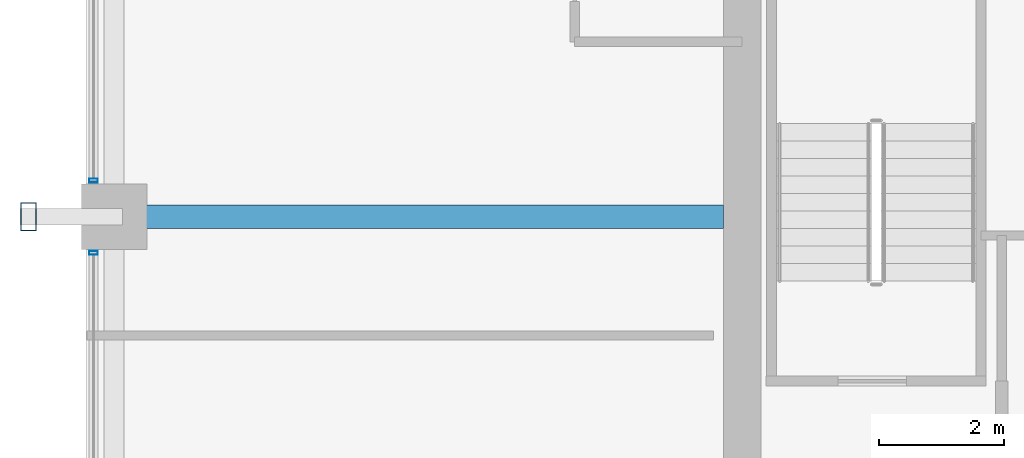
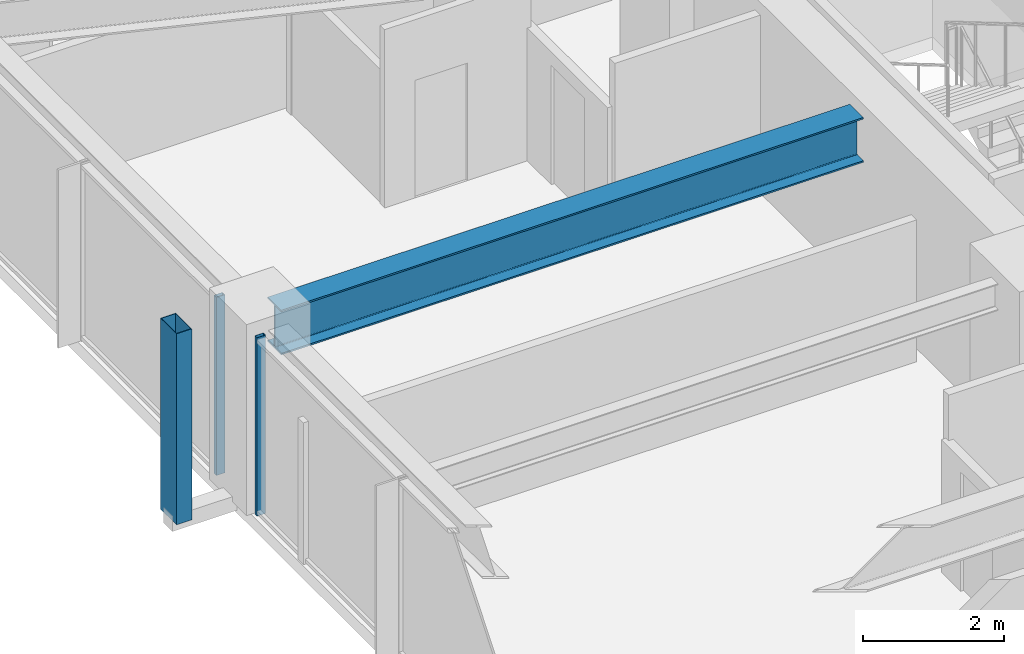
# One storey, part 11 of 38: 3 members, 1 beam, 2 elements without a shape of their own.
"""IFC4 building model written with IfcOpenShell, lengths in metres."""

import ifcopenshell
import ifcopenshell.guid

model = None  # the IFC model being written
_history = None  # IfcOwnerHistory: only IFC2X3 demands one
_inside = {}  # id of a spatial element -> (the spatial element, [elements in it])
_under = {}  # id of a project, library or spatial element -> (it, [spatial elements below it])
_declared = {}  # id of a project -> (the project, [libraries it declares])
_typed = {}  # id of a type object -> (the type object, [elements of that type])
_made_of = {}  # id of a material, layer set ... -> (it, [elements and type objects made of it])


def new_model(schema):
    """Start an empty IFC model of exactly this schema.

    Asked for "IFC4X3", IfcOpenShell would pick the latest addendum, in which some entities
    have other attributes; the version numbers below select the first issue.
    IFC2X3 requires an IfcOwnerHistory on every rooted entity: one is made here for all.
    """
    global model, _history
    if schema == "IFC4X3":
        model = ifcopenshell.file(schema_version=(4, 3, 0, 0))
    else:
        model = ifcopenshell.file(schema=schema)
    _inside.clear()
    _under.clear()
    _declared.clear()
    _typed.clear()
    _made_of.clear()
    _history = None
    if model.schema == "IFC2X3":
        org = make("IfcOrganization", Name="unknown")
        user = make(
            "IfcPersonAndOrganization",
            ThePerson=make("IfcPerson", FamilyName="unknown"),
            TheOrganization=org,
        )
        app = make(
            "IfcApplication",
            ApplicationDeveloper=org,
            Version="unknown",
            ApplicationFullName="unknown",
            ApplicationIdentifier="unknown",
        )
        _history = make(
            "IfcOwnerHistory",
            OwningUser=user,
            OwningApplication=app,
            ChangeAction="ADDED",
            CreationDate=0,
        )
    return model


def make(cls, **values):
    """One entity of the class cls with the attributes given. An attribute that is None is left unset."""
    return model.create_entity(
        cls, **{name: value for name, value in values.items() if value is not None}
    )


def rooted(cls, **values):
    """An entity with a GlobalId (a new one), such as an element, a storey or a relation."""
    return make(cls, GlobalId=ifcopenshell.guid.new(), OwnerHistory=_history, **values)


def si_unit(unit_type, name, prefix=None):
    """IfcSIUnit, for example si_unit("LENGTHUNIT", "METRE", prefix="MILLI")."""
    return make("IfcSIUnit", UnitType=unit_type, Prefix=prefix, Name=name)


def assignment(units):
    """IfcUnitAssignment: the units of a project."""
    return None if units is None else make("IfcUnitAssignment", Units=units)


def point(xyz):
    """IfcCartesianPoint."""
    return None if xyz is None else make("IfcCartesianPoint", Coordinates=xyz)


def direction(xyz):
    """IfcDirection."""
    return None if xyz is None else make("IfcDirection", DirectionRatios=xyz)


def frame(location, z_axis=None, x_axis=None):
    """IfcAxis2Placement3D, a coordinate frame: its origin and axes. An axis left out is left unset."""
    return make(
        "IfcAxis2Placement3D",
        Location=point(location),
        Axis=direction(z_axis),
        RefDirection=direction(x_axis),
    )


def frame_2d(location, x_axis=None):
    """IfcAxis2Placement2D, a coordinate frame in the plane: its origin and x axis."""
    return make(
        "IfcAxis2Placement2D", Location=point(location), RefDirection=direction(x_axis)
    )


def origin():
    """The frame at (0, 0, 0) with its axes left unset."""
    return frame((0.0, 0.0, 0.0))


def origin_2d():
    """The frame at (0, 0) in the plane with its x axis left unset."""
    return frame_2d((0.0, 0.0))


def place(relative_to, where):
    """IfcLocalPlacement: puts the frame where relative to a parent placement (None: the world)."""
    return make(
        "IfcLocalPlacement", PlacementRelTo=relative_to, RelativePlacement=where
    )


def context(
    kind, dimensions, precision=None, world=None, true_north=None, identifier=None
):
    """IfcGeometricRepresentationContext, for example the 3D "Model" context."""
    return make(
        "IfcGeometricRepresentationContext",
        ContextIdentifier=identifier,
        ContextType=kind,
        CoordinateSpaceDimension=dimensions,
        Precision=precision,
        WorldCoordinateSystem=world,
        TrueNorth=true_north,
    )


def subcontext(parent, identifier, kind, view, scale=None):
    """IfcGeometricRepresentationSubContext, for example "Body" below "Model"."""
    return make(
        "IfcGeometricRepresentationSubContext",
        ContextIdentifier=identifier,
        ContextType=kind,
        ParentContext=parent,
        TargetScale=scale,
        TargetView=view,
    )


def project(units=None, contexts=None):
    """IfcProject with its units and contexts."""
    return rooted(
        "IfcProject",
        Name="project",
        RepresentationContexts=contexts,
        UnitsInContext=assignment(units),
    )


def spatial(cls, under=None, at=None, **own):
    """A site, building, storey or space (cls), placed at a placement, below another one or the project."""
    s = rooted(cls, ObjectPlacement=at, **own)
    if under is not None:
        _under.setdefault(under.id(), (under, []))[1].append(s)
    return s


def profile(cls, at=None, kind="AREA", **sizes):
    """A parametric profile (cls). Its sizes go by their IFC names, for example OverallWidth=200.0."""
    return make(cls, ProfileType=kind, Position=at, **sizes)


def hollow_rectangle(**sizes):
    """IfcRectangleHollowProfileDef."""
    return profile("IfcRectangleHollowProfileDef", **sizes)


def i_section(**sizes):
    """IfcIShapeProfileDef."""
    return profile("IfcIShapeProfileDef", **sizes)


def extrude(swept, where, along, depth):
    """IfcExtrudedAreaSolid: the profile swept, set in the frame where, extruded along a direction by depth."""
    return make(
        "IfcExtrudedAreaSolid",
        SweptArea=swept,
        Position=where,
        ExtrudedDirection=direction(along),
        Depth=depth,
    )


def shape(context_of_items, identifier, shape_type, items):
    """IfcShapeRepresentation: the items that make up one representation, for example the "Body"."""
    return make(
        "IfcShapeRepresentation",
        ContextOfItems=context_of_items,
        RepresentationIdentifier=identifier,
        RepresentationType=shape_type,
        Items=items,
    )


def material(Name=None, Category=None):
    """IfcMaterial."""
    return make("IfcMaterial", Name=Name, Category=Category)


def material_profile(
    of_material, cross_section, Name=None, Category=None, Priority=None
):
    """IfcMaterialProfile: a cross section and its material."""
    return make(
        "IfcMaterialProfile",
        Name=Name,
        Material=of_material,
        Profile=cross_section,
        Priority=Priority,
        Category=Category,
    )


def profile_set(profiles, Name=None, composite=None):
    """IfcMaterialProfileSet."""
    return make(
        "IfcMaterialProfileSet",
        Name=Name,
        MaterialProfiles=profiles,
        CompositeProfile=composite,
    )


def made_of(thing, what):
    """Note that an element or type object is made of a material, layer set ...; save() writes the relation."""
    if what is not None:
        _made_of.setdefault(what.id(), (what, []))[1].append(thing)
    return thing


def type_object(cls, material=None, **own):
    """A type object (cls), such as IfcWallType, which elements share."""
    return made_of(rooted(cls, **own), material)


def element(
    cls,
    number,
    at=None,
    inside=None,
    cuts=None,
    type_object=None,
    material=None,
    context=None,
    identifier="Body",
    shape_type=None,
    held_by="IfcProductDefinitionShape",
    body=None,
    shapes=None,
    **own,
):
    """One element of the class cls, such as IfcWall. Its Tag is "e" and its number.

    at: its placement. inside: the storey or other place that contains it. cuts: it is an
    opening in that element (IfcRelVoidsElement). A single representation is given by context,
    identifier, shape_type and body (its items); several are given by shapes. held_by: the class
    of the entity that holds the representations. save() writes the other relations.
    """
    e = rooted(cls, Tag="e%d" % number, ObjectPlacement=at, **own)
    if body is not None:
        shapes = [shape(context, identifier, shape_type, body)]
    if shapes is not None:
        e.Representation = make(held_by, Representations=shapes)
    if inside is not None:
        _inside.setdefault(inside.id(), (inside, []))[1].append(e)
    if cuts is not None:
        rooted(
            "IfcRelVoidsElement", RelatingBuildingElement=cuts, RelatedOpeningElement=e
        )
    if type_object is not None:
        _typed.setdefault(type_object.id(), (type_object, []))[1].append(e)
    return made_of(e, material)


def aggregate(whole, parts):
    """IfcRelAggregates: a whole, such as a stair, and the parts it consists of."""
    return rooted("IfcRelAggregates", RelatingObject=whole, RelatedObjects=parts)


def save(model, path):
    """Write the relations noted so far, then the file.

    IfcRelAggregates (storeys below a building ...), IfcRelContainedInSpatialStructure (elements
    in a storey), IfcRelDefinesByType, IfcRelAssociatesMaterial and IfcRelDeclares: one each for
    every whole, place, type object, material and project.
    """
    for whole, parts in _under.values():
        aggregate(whole, parts)
    for where, things in _inside.values():
        rooted(
            "IfcRelContainedInSpatialStructure",
            RelatedElements=things,
            RelatingStructure=where,
        )
    for kind, things in _typed.values():
        rooted("IfcRelDefinesByType", RelatedObjects=things, RelatingType=kind)
    for what, things in _made_of.values():
        rooted("IfcRelAssociatesMaterial", RelatedObjects=things, RelatingMaterial=what)
    for by, libraries in _declared.values():
        rooted("IfcRelDeclares", RelatingContext=by, RelatedDefinitions=libraries)
    model.write(path)


model = new_model("IFC4")

# Units and contexts
model_context = context("Model", 3, precision=1e-05, world=origin(), true_north=direction((0.0, 1.0)))
body_context = subcontext(model_context, "Body", "Model", "MODEL_VIEW")
ifc_project = project(units=[si_unit("LENGTHUNIT", "METRE"), si_unit("AREAUNIT", "SQUARE_METRE"), si_unit("VOLUMEUNIT", "CUBIC_METRE"), si_unit("PLANEANGLEUNIT", "RADIAN"), si_unit("MASSUNIT", "GRAM", prefix="KILO")], contexts=[model_context])

# Site, building, storey
site_placement = place(None, origin())
site = spatial("IfcSite", under=ifc_project, at=site_placement, CompositionType="ELEMENT")
building_placement = place(site_placement, origin())
building = spatial("IfcBuilding", under=site, at=building_placement, Name="Kolvaren Belvedere", CompositionType="ELEMENT")
storey_placement = place(building_placement, frame((0.0, 0.0, 78.800048828125)))
storey = spatial("IfcBuildingStorey", under=building, at=storey_placement, Name="L22", CompositionType="ELEMENT", Elevation=78.800048828125)

# Beam
ifc_material_1 = material(Name="Structural steel ASTM A992 Grade 50", Category="steel")
ifc_material_profile_1 = material_profile(ifc_material_1, i_section(OverallWidth=0.381103515625, OverallDepth=0.77294921875, WebThickness=0.0166015625, FlangeThickness=0.027099609375, FilletRadius=0.02392578125, at=origin_2d()), Name="W30X173")
ifc_profile_set_1 = profile_set([ifc_material_profile_1], Name="Structural steel ASTM A992 Grade 50")
beam_type = type_object("IfcBeamType", Name="BM-GIRD-W30X173", PredefinedType="BEAM", material=ifc_profile_set_1)
beam_placement = place(storey_placement, frame((-10.199951171875, 4.60009765625, 2.693359375), z_axis=(-1.0, 0.0, 0.0), x_axis=(0.0, -1.0, 0.0)))
element("IfcBeam", 1, at=beam_placement, inside=storey, type_object=beam_type, Name="L22 West Radial Girder P", PredefinedType="BEAM", context=body_context, shape_type="SweptSolid", body=[
    extrude(i_section(OverallWidth=0.381103515625, OverallDepth=0.77294921875, WebThickness=0.0166015625, FlangeThickness=0.027099609375, FilletRadius=0.02392578125, at=origin_2d()), origin(), (0.0, 0.0, 1.0), 9.513916015625),
])

# Curtain wall, member
ifc_material_2 = material(Name="Anodised pale-metal aluminium AA 6063-T6", Category="aluminium")
curtain_wall_type = type_object("IfcCurtainWallType", Name="CW-Z2-MID", PredefinedType="NOTDEFINED", material=ifc_material_2)
curtain_wall_1_placement = place(storey_placement, origin())
curtain_wall_1 = element("IfcCurtainWall", 2, at=curtain_wall_1_placement, inside=storey, type_object=curtain_wall_type, Name="L22 Unitised Curtain Wall FCW-L22-W-B2", PredefinedType="NOTDEFINED")
ifc_material_3 = material(Name="Anodised pale-metal aluminium AA 6063-T6", Category="aluminium")
ifc_material_profile_2 = material_profile(ifc_material_3, hollow_rectangle(XDim=0.06494140625, YDim=0.139892578125, WallThickness=0.00390625, at=origin_2d()), Name="ALU-MUL-140X65")
ifc_profile_set_2 = profile_set([ifc_material_profile_2], Name="Anodised pale-metal aluminium AA 6063-T6")
member_type_1 = type_object("IfcMemberType", Name="CW-MUL-140", PredefinedType="MULLION", material=ifc_profile_set_2)
member_1_placement = place(storey_placement, frame((-20.280029296875, 4.0224609375, 0.0), z_axis=(0.0, 0.0, 1.0), x_axis=(0.0, 1.0, 0.0)))
member_1 = element("IfcMember", 3, at=member_1_placement, type_object=member_type_1, Name="FCW-L22-W-B2 Unitised Mullion 3", PredefinedType="MULLION", context=body_context, shape_type="SweptSolid", body=[
    extrude(hollow_rectangle(XDim=0.06494140625, YDim=0.139892578125, WallThickness=0.00390625, at=origin_2d()), origin(), (0.0, 0.0, 1.0), 3.079833984375),
])
aggregate(curtain_wall_1, [member_1])

curtain_wall_2_placement = place(storey_placement, origin())
curtain_wall_2 = element("IfcCurtainWall", 4, at=curtain_wall_2_placement, inside=storey, type_object=curtain_wall_type, Name="L22 Unitised Curtain Wall FCW-L22-W-B3", PredefinedType="NOTDEFINED")
member_2_placement = place(storey_placement, frame((-20.280029296875, 5.177490234375, 0.0), z_axis=(0.0, 0.0, 1.0), x_axis=(0.0, 1.0, 0.0)))
member_2 = element("IfcMember", 5, at=member_2_placement, type_object=member_type_1, Name="FCW-L22-W-B3 Unitised Mullion 1", PredefinedType="MULLION", context=body_context, shape_type="SweptSolid", body=[
    extrude(hollow_rectangle(XDim=0.06494140625, YDim=0.139892578125, WallThickness=0.00390625, at=origin_2d()), origin(), (0.0, 0.0, 1.0), 3.079833984375),
])
aggregate(curtain_wall_2, [member_2])

# Member
ifc_material_4 = material(Name="Anodised pale-metal aluminium AA 6063-T6", Category="aluminium")
ifc_material_profile_3 = material_profile(ifc_material_4, hollow_rectangle(XDim=0.25, YDim=0.449951171875, WallThickness=0.008544921875, at=origin_2d()), Name="ALU-PF-450X250")
ifc_profile_set_3 = profile_set([ifc_material_profile_3], Name="Anodised pale-metal aluminium AA 6063-T6")
member_type_2 = type_object("IfcMemberType", Name="PF-FRAME-450", PredefinedType="USERDEFINED", material=ifc_profile_set_3)
member_3_placement = place(storey_placement, frame((-21.320068359375, 4.60009765625, 0.0), z_axis=(0.0, 0.0, 1.0), x_axis=(1.0, 0.0, 0.0)))
element("IfcMember", 6, at=member_3_placement, inside=storey, type_object=member_type_2, Name="L22 Outboard Picture-Frame Vertical W2", ObjectType="PICTURE FRAME FIN", PredefinedType="USERDEFINED", context=body_context, shape_type="SweptSolid", body=[
    extrude(hollow_rectangle(XDim=0.25, YDim=0.449951171875, WallThickness=0.008544921875, at=origin_2d()), origin(), (0.0, 0.0, 1.0), 3.300048828125),
])

save(model, "model.ifc")
